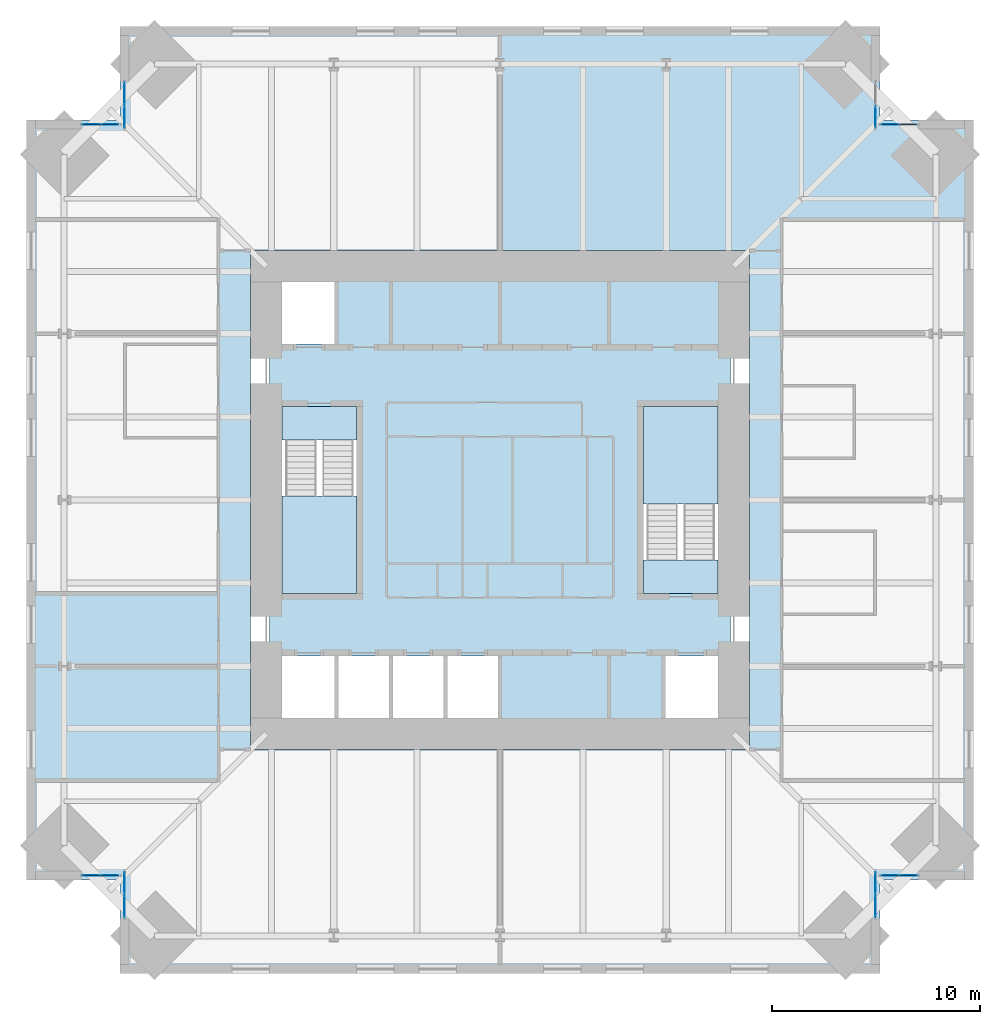
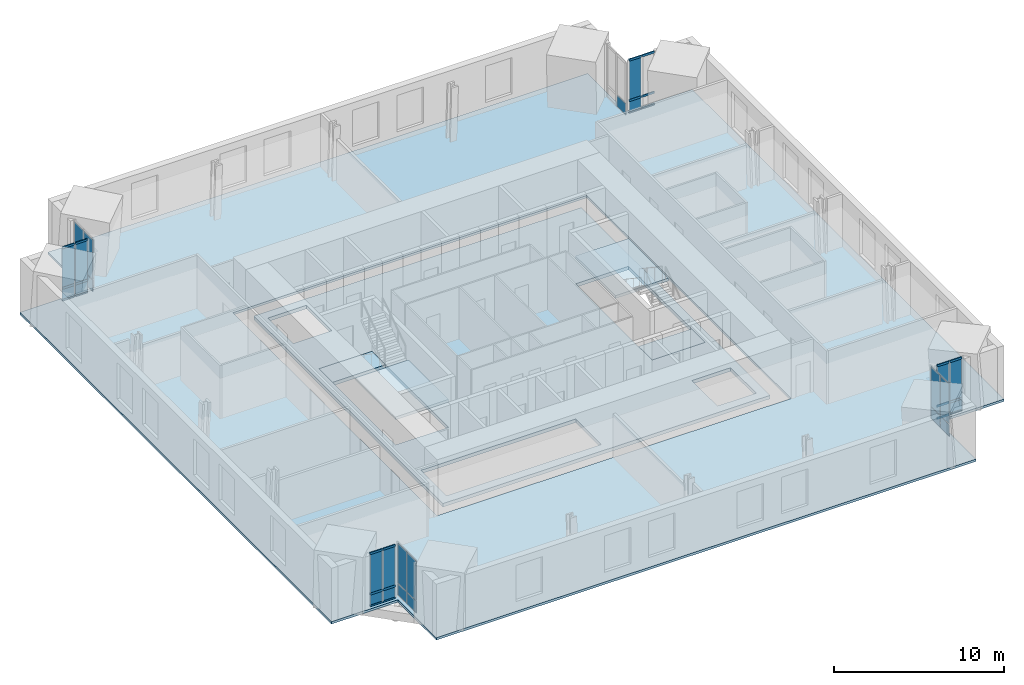
# One storey, part 9 of 15: 27 plates, 24 members, 6 slabs, 10 elements without a shape of their own.
"""IFC4 building model written with IfcOpenShell, lengths in metres."""

from ifc_helpers import new_model, si_unit, direction, frame, origin, origin_2d, place, context, subcontext, project, spatial, polyline, rectangle, hollow_rectangle, outline, extrude, material, layer, layer_set, material_profile, profile_set, type_object, element, aggregate, save


model = new_model("IFC4")

# Units and contexts
model_context = context("Model", 3, precision=1e-05, world=origin(), true_north=direction((0.0, 1.0)))
body_context = subcontext(model_context, "Body", "Model", "MODEL_VIEW")
ifc_project = project(units=[si_unit("LENGTHUNIT", "METRE"), si_unit("AREAUNIT", "SQUARE_METRE"), si_unit("VOLUMEUNIT", "CUBIC_METRE"), si_unit("PLANEANGLEUNIT", "RADIAN"), si_unit("MASSUNIT", "GRAM", prefix="KILO")], contexts=[model_context])

# Site, building, storey
site_placement = place(None, origin())
site = spatial("IfcSite", under=ifc_project, at=site_placement, CompositionType="ELEMENT")
building_placement = place(site_placement, origin())
building = spatial("IfcBuilding", under=site, at=building_placement, Name="Peilmerk Tower", CompositionType="ELEMENT")
storey_placement = place(building_placement, frame((0.0, 0.0, 245.800048828125)))
storey = spatial("IfcBuildingStorey", under=building, at=storey_placement, Name="L54", CompositionType="ELEMENT", Elevation=245.800048828125)

# Curtain wall, members
ifc_material_1 = material(Name="Aluminium stick curtain wall", Category="aluminium")
curtain_wall_type = type_object("IfcCurtainWallType", Name="CW4 stick curtain wall, 2250 module", PredefinedType="NOTDEFINED", material=ifc_material_1)
curtain_wall_1_placement = place(storey_placement, origin())
curtain_wall_1 = element("IfcCurtainWall", 1, at=curtain_wall_1_placement, inside=storey, type_object=curtain_wall_type, Name="Curtain wall CW4 NEB L54", PredefinedType="NOTDEFINED")
ifc_material_2 = material(Name="Aluminium EN AW-6063 T6", Category="aluminium")
ifc_material_profile = material_profile(ifc_material_2, hollow_rectangle(XDim=0.06494140625, YDim=0.14990234375, WallThickness=0.0029296875, at=origin_2d()), Name="AL 150x65x3")
ifc_profile_set = profile_set([ifc_material_profile], Name="Aluminium EN AW-6063 T6")
member_type = type_object("IfcMemberType", Name="CW4-T AL 150x65x3 transom", PredefinedType="USERDEFINED", material=ifc_profile_set)
member_1_placement = place(storey_placement, frame((18.364990234375, 18.074951171875, 0.032470703125), z_axis=(1.0, 0.0, 0.0), x_axis=(0.0, 1.0, 0.0)))
member_1 = element("IfcMember", 2, at=member_1_placement, type_object=member_type, Name="CW4 transom 1.1", ObjectType="TRANSOM", PredefinedType="USERDEFINED", context=body_context, shape_type="SweptSolid", body=[
    extrude(hollow_rectangle(XDim=0.06494140625, YDim=0.14990234375, WallThickness=0.0029296875, at=origin_2d()), origin(), (0.0, 0.0, 1.0), 0.82177734375),
])
member_2_placement = place(storey_placement, frame((18.364990234375, 18.074951171875, 0.89990234375), z_axis=(1.0, 0.0, 0.0), x_axis=(0.0, 1.0, 0.0)))
member_2 = element("IfcMember", 3, at=member_2_placement, type_object=member_type, Name="CW4 transom 1.2", ObjectType="TRANSOM", PredefinedType="USERDEFINED", context=body_context, shape_type="SweptSolid", body=[
    extrude(hollow_rectangle(XDim=0.06494140625, YDim=0.14990234375, WallThickness=0.0029296875, at=origin_2d()), origin(), (0.0, 0.0, 1.0), 0.82177734375),
])
member_3_placement = place(storey_placement, frame((18.364990234375, 18.074951171875, 3.79736328125), z_axis=(1.0, 0.0, 0.0), x_axis=(0.0, 1.0, 0.0)))
member_3 = element("IfcMember", 4, at=member_3_placement, type_object=member_type, Name="CW4 transom 1.3", ObjectType="TRANSOM", PredefinedType="USERDEFINED", context=body_context, shape_type="SweptSolid", body=[
    extrude(hollow_rectangle(XDim=0.06494140625, YDim=0.14990234375, WallThickness=0.0029296875, at=origin_2d()), origin(), (0.0, 0.0, 1.0), 0.82177734375),
])
member_4_placement = place(storey_placement, frame((19.251953125, 18.074951171875, 0.032470703125), z_axis=(1.0, 0.0, 0.0), x_axis=(0.0, 1.0, 0.0)))
member_4 = element("IfcMember", 5, at=member_4_placement, type_object=member_type, Name="CW4 transom 2.1", ObjectType="TRANSOM", PredefinedType="USERDEFINED", context=body_context, shape_type="SweptSolid", body=[
    extrude(hollow_rectangle(XDim=0.06494140625, YDim=0.14990234375, WallThickness=0.0029296875, at=origin_2d()), origin(), (0.0, 0.0, 1.0), 0.82177734375),
])
member_5_placement = place(storey_placement, frame((19.251953125, 18.074951171875, 0.89990234375), z_axis=(1.0, 0.0, 0.0), x_axis=(0.0, 1.0, 0.0)))
member_5 = element("IfcMember", 6, at=member_5_placement, type_object=member_type, Name="CW4 transom 2.2", ObjectType="TRANSOM", PredefinedType="USERDEFINED", context=body_context, shape_type="SweptSolid", body=[
    extrude(hollow_rectangle(XDim=0.06494140625, YDim=0.14990234375, WallThickness=0.0029296875, at=origin_2d()), origin(), (0.0, 0.0, 1.0), 0.82177734375),
])
member_6_placement = place(storey_placement, frame((19.251953125, 18.074951171875, 3.79736328125), z_axis=(1.0, 0.0, 0.0), x_axis=(0.0, 1.0, 0.0)))
member_6 = element("IfcMember", 7, at=member_6_placement, type_object=member_type, Name="CW4 transom 2.3", ObjectType="TRANSOM", PredefinedType="USERDEFINED", context=body_context, shape_type="SweptSolid", body=[
    extrude(hollow_rectangle(XDim=0.06494140625, YDim=0.14990234375, WallThickness=0.0029296875, at=origin_2d()), origin(), (0.0, 0.0, 1.0), 0.82177734375),
])

curtain_wall_2_placement = place(storey_placement, origin())
curtain_wall_2 = element("IfcCurtainWall", 8, at=curtain_wall_2_placement, inside=storey, type_object=curtain_wall_type, Name="Curtain wall CW4 SEB L54", PredefinedType="NOTDEFINED")
member_7_placement = place(storey_placement, frame((18.364990234375, -18.074951171875, 0.032470703125), z_axis=(1.0, 0.0, 0.0), x_axis=(0.0, 1.0, 0.0)))
member_7 = element("IfcMember", 9, at=member_7_placement, type_object=member_type, Name="CW4 transom 1.1", ObjectType="TRANSOM", PredefinedType="USERDEFINED", context=body_context, shape_type="SweptSolid", body=[
    extrude(hollow_rectangle(XDim=0.06494140625, YDim=0.14990234375, WallThickness=0.0029296875, at=origin_2d()), origin(), (0.0, 0.0, 1.0), 0.82177734375),
])
member_8_placement = place(storey_placement, frame((18.364990234375, -18.074951171875, 0.89990234375), z_axis=(1.0, 0.0, 0.0), x_axis=(0.0, 1.0, 0.0)))
member_8 = element("IfcMember", 10, at=member_8_placement, type_object=member_type, Name="CW4 transom 1.2", ObjectType="TRANSOM", PredefinedType="USERDEFINED", context=body_context, shape_type="SweptSolid", body=[
    extrude(hollow_rectangle(XDim=0.06494140625, YDim=0.14990234375, WallThickness=0.0029296875, at=origin_2d()), origin(), (0.0, 0.0, 1.0), 0.82177734375),
])
member_9_placement = place(storey_placement, frame((18.364990234375, -18.074951171875, 3.79736328125), z_axis=(1.0, 0.0, 0.0), x_axis=(0.0, 1.0, 0.0)))
member_9 = element("IfcMember", 11, at=member_9_placement, type_object=member_type, Name="CW4 transom 1.3", ObjectType="TRANSOM", PredefinedType="USERDEFINED", context=body_context, shape_type="SweptSolid", body=[
    extrude(hollow_rectangle(XDim=0.06494140625, YDim=0.14990234375, WallThickness=0.0029296875, at=origin_2d()), origin(), (0.0, 0.0, 1.0), 0.82177734375),
])
member_10_placement = place(storey_placement, frame((19.251953125, -18.074951171875, 0.032470703125), z_axis=(1.0, 0.0, 0.0), x_axis=(0.0, 1.0, 0.0)))
member_10 = element("IfcMember", 12, at=member_10_placement, type_object=member_type, Name="CW4 transom 2.1", ObjectType="TRANSOM", PredefinedType="USERDEFINED", context=body_context, shape_type="SweptSolid", body=[
    extrude(hollow_rectangle(XDim=0.06494140625, YDim=0.14990234375, WallThickness=0.0029296875, at=origin_2d()), origin(), (0.0, 0.0, 1.0), 0.82177734375),
])
member_11_placement = place(storey_placement, frame((19.251953125, -18.074951171875, 0.89990234375), z_axis=(1.0, 0.0, 0.0), x_axis=(0.0, 1.0, 0.0)))
member_11 = element("IfcMember", 13, at=member_11_placement, type_object=member_type, Name="CW4 transom 2.2", ObjectType="TRANSOM", PredefinedType="USERDEFINED", context=body_context, shape_type="SweptSolid", body=[
    extrude(hollow_rectangle(XDim=0.06494140625, YDim=0.14990234375, WallThickness=0.0029296875, at=origin_2d()), origin(), (0.0, 0.0, 1.0), 0.82177734375),
])
member_12_placement = place(storey_placement, frame((19.251953125, -18.074951171875, 3.79736328125), z_axis=(1.0, 0.0, 0.0), x_axis=(0.0, 1.0, 0.0)))
member_12 = element("IfcMember", 14, at=member_12_placement, type_object=member_type, Name="CW4 transom 2.3", ObjectType="TRANSOM", PredefinedType="USERDEFINED", context=body_context, shape_type="SweptSolid", body=[
    extrude(hollow_rectangle(XDim=0.06494140625, YDim=0.14990234375, WallThickness=0.0029296875, at=origin_2d()), origin(), (0.0, 0.0, 1.0), 0.82177734375),
])

curtain_wall_3_placement = place(storey_placement, origin())
curtain_wall_3 = element("IfcCurtainWall", 15, at=curtain_wall_3_placement, inside=storey, type_object=curtain_wall_type, Name="Curtain wall CW4 SWB L54", PredefinedType="NOTDEFINED")
member_13_placement = place(storey_placement, frame((-18.364990234375, -18.074951171875, 0.032470703125), z_axis=(-1.0, 0.0, 0.0), x_axis=(0.0, -1.0, 0.0)))
member_13 = element("IfcMember", 16, at=member_13_placement, type_object=member_type, Name="CW4 transom 1.1", ObjectType="TRANSOM", PredefinedType="USERDEFINED", context=body_context, shape_type="SweptSolid", body=[
    extrude(hollow_rectangle(XDim=0.06494140625, YDim=0.14990234375, WallThickness=0.0029296875, at=origin_2d()), origin(), (0.0, 0.0, 1.0), 0.82177734375),
])
member_14_placement = place(storey_placement, frame((-18.364990234375, -18.074951171875, 0.89990234375), z_axis=(-1.0, 0.0, 0.0), x_axis=(0.0, -1.0, 0.0)))
member_14 = element("IfcMember", 17, at=member_14_placement, type_object=member_type, Name="CW4 transom 1.2", ObjectType="TRANSOM", PredefinedType="USERDEFINED", context=body_context, shape_type="SweptSolid", body=[
    extrude(hollow_rectangle(XDim=0.06494140625, YDim=0.14990234375, WallThickness=0.0029296875, at=origin_2d()), origin(), (0.0, 0.0, 1.0), 0.82177734375),
])
member_15_placement = place(storey_placement, frame((-18.364990234375, -18.074951171875, 3.79736328125), z_axis=(-1.0, 0.0, 0.0), x_axis=(0.0, -1.0, 0.0)))
member_15 = element("IfcMember", 18, at=member_15_placement, type_object=member_type, Name="CW4 transom 1.3", ObjectType="TRANSOM", PredefinedType="USERDEFINED", context=body_context, shape_type="SweptSolid", body=[
    extrude(hollow_rectangle(XDim=0.06494140625, YDim=0.14990234375, WallThickness=0.0029296875, at=origin_2d()), origin(), (0.0, 0.0, 1.0), 0.82177734375),
])
member_16_placement = place(storey_placement, frame((-19.251953125, -18.074951171875, 0.032470703125), z_axis=(-1.0, 0.0, 0.0), x_axis=(0.0, -1.0, 0.0)))
member_16 = element("IfcMember", 19, at=member_16_placement, type_object=member_type, Name="CW4 transom 2.1", ObjectType="TRANSOM", PredefinedType="USERDEFINED", context=body_context, shape_type="SweptSolid", body=[
    extrude(hollow_rectangle(XDim=0.06494140625, YDim=0.14990234375, WallThickness=0.0029296875, at=origin_2d()), origin(), (0.0, 0.0, 1.0), 0.82177734375),
])
member_17_placement = place(storey_placement, frame((-19.251953125, -18.074951171875, 0.89990234375), z_axis=(-1.0, 0.0, 0.0), x_axis=(0.0, -1.0, 0.0)))
member_17 = element("IfcMember", 20, at=member_17_placement, type_object=member_type, Name="CW4 transom 2.2", ObjectType="TRANSOM", PredefinedType="USERDEFINED", context=body_context, shape_type="SweptSolid", body=[
    extrude(hollow_rectangle(XDim=0.06494140625, YDim=0.14990234375, WallThickness=0.0029296875, at=origin_2d()), origin(), (0.0, 0.0, 1.0), 0.82177734375),
])
member_18_placement = place(storey_placement, frame((-19.251953125, -18.074951171875, 3.79736328125), z_axis=(-1.0, 0.0, 0.0), x_axis=(0.0, -1.0, 0.0)))
member_18 = element("IfcMember", 21, at=member_18_placement, type_object=member_type, Name="CW4 transom 2.3", ObjectType="TRANSOM", PredefinedType="USERDEFINED", context=body_context, shape_type="SweptSolid", body=[
    extrude(hollow_rectangle(XDim=0.06494140625, YDim=0.14990234375, WallThickness=0.0029296875, at=origin_2d()), origin(), (0.0, 0.0, 1.0), 0.82177734375),
])

curtain_wall_4_placement = place(storey_placement, origin())
curtain_wall_4 = element("IfcCurtainWall", 22, at=curtain_wall_4_placement, inside=storey, type_object=curtain_wall_type, Name="Curtain wall CW4 NWB L54", PredefinedType="NOTDEFINED")
member_19_placement = place(storey_placement, frame((-18.364990234375, 18.074951171875, 0.032470703125), z_axis=(-1.0, 0.0, 0.0), x_axis=(0.0, -1.0, 0.0)))
member_19 = element("IfcMember", 23, at=member_19_placement, type_object=member_type, Name="CW4 transom 1.1", ObjectType="TRANSOM", PredefinedType="USERDEFINED", context=body_context, shape_type="SweptSolid", body=[
    extrude(hollow_rectangle(XDim=0.06494140625, YDim=0.14990234375, WallThickness=0.0029296875, at=origin_2d()), origin(), (0.0, 0.0, 1.0), 0.82177734375),
])
member_20_placement = place(storey_placement, frame((-18.364990234375, 18.074951171875, 0.89990234375), z_axis=(-1.0, 0.0, 0.0), x_axis=(0.0, -1.0, 0.0)))
member_20 = element("IfcMember", 24, at=member_20_placement, type_object=member_type, Name="CW4 transom 1.2", ObjectType="TRANSOM", PredefinedType="USERDEFINED", context=body_context, shape_type="SweptSolid", body=[
    extrude(hollow_rectangle(XDim=0.06494140625, YDim=0.14990234375, WallThickness=0.0029296875, at=origin_2d()), origin(), (0.0, 0.0, 1.0), 0.82177734375),
])
member_21_placement = place(storey_placement, frame((-18.364990234375, 18.074951171875, 3.79736328125), z_axis=(-1.0, 0.0, 0.0), x_axis=(0.0, -1.0, 0.0)))
member_21 = element("IfcMember", 25, at=member_21_placement, type_object=member_type, Name="CW4 transom 1.3", ObjectType="TRANSOM", PredefinedType="USERDEFINED", context=body_context, shape_type="SweptSolid", body=[
    extrude(hollow_rectangle(XDim=0.06494140625, YDim=0.14990234375, WallThickness=0.0029296875, at=origin_2d()), origin(), (0.0, 0.0, 1.0), 0.82177734375),
])
member_22_placement = place(storey_placement, frame((-19.251953125, 18.074951171875, 0.032470703125), z_axis=(-1.0, 0.0, 0.0), x_axis=(0.0, -1.0, 0.0)))
member_22 = element("IfcMember", 26, at=member_22_placement, type_object=member_type, Name="CW4 transom 2.1", ObjectType="TRANSOM", PredefinedType="USERDEFINED", context=body_context, shape_type="SweptSolid", body=[
    extrude(hollow_rectangle(XDim=0.06494140625, YDim=0.14990234375, WallThickness=0.0029296875, at=origin_2d()), origin(), (0.0, 0.0, 1.0), 0.82177734375),
])
member_23_placement = place(storey_placement, frame((-19.251953125, 18.074951171875, 0.89990234375), z_axis=(-1.0, 0.0, 0.0), x_axis=(0.0, -1.0, 0.0)))
member_23 = element("IfcMember", 27, at=member_23_placement, type_object=member_type, Name="CW4 transom 2.2", ObjectType="TRANSOM", PredefinedType="USERDEFINED", context=body_context, shape_type="SweptSolid", body=[
    extrude(hollow_rectangle(XDim=0.06494140625, YDim=0.14990234375, WallThickness=0.0029296875, at=origin_2d()), origin(), (0.0, 0.0, 1.0), 0.82177734375),
])
member_24_placement = place(storey_placement, frame((-19.251953125, 18.074951171875, 3.79736328125), z_axis=(-1.0, 0.0, 0.0), x_axis=(0.0, -1.0, 0.0)))
member_24 = element("IfcMember", 28, at=member_24_placement, type_object=member_type, Name="CW4 transom 2.3", ObjectType="TRANSOM", PredefinedType="USERDEFINED", context=body_context, shape_type="SweptSolid", body=[
    extrude(hollow_rectangle(XDim=0.06494140625, YDim=0.14990234375, WallThickness=0.0029296875, at=origin_2d()), origin(), (0.0, 0.0, 1.0), 0.82177734375),
])

# Slab
ifc_material_3 = material(Name="Concrete C55/67", Category="concrete")
ifc_layer_1 = layer(ifc_material_3, 0.25)
ifc_layer_set_1 = layer_set([ifc_layer_1], Name="Concrete C55/67")
slab_type_1 = type_object("IfcSlabType", Name="CS250 250 core floor slab", PredefinedType="FLOOR", material=ifc_layer_set_1)
slab_1_placement = place(storey_placement, frame((0.0, 0.0, -0.25)))
element("IfcSlab", 29, at=slab_1_placement, inside=storey, type_object=slab_type_1, Name="Core slab L54", PredefinedType="FLOOR", context=body_context, shape_type="SweptSolid", body=[
    extrude(outline(polyline([(11.10009765625, -11.10009765625), (11.10009765625, 11.10009765625), (-11.10009765625, 11.10009765625), (-11.10009765625, -11.10009765625), (11.10009765625, -11.10009765625)]), holes=[polyline([(-7.875, 7.5), (-10.5, 7.5), (-10.5, 10.5), (-7.875, 10.5), (-7.875, 7.5)]), polyline([(0.0, -10.5), (-10.5, -10.5), (-10.5, -7.5), (0.0, -7.5), (0.0, -10.5)]), polyline([(7.875, -10.5), (7.875, -7.5), (10.5, -7.5), (10.5, -10.5), (7.875, -10.5)]), polyline([(-10.5, 4.5), (-6.89990234375, 4.5), (-6.89990234375, -4.5), (-10.5, -4.5), (-10.5, 4.5)]), polyline([(10.5, 4.5), (10.5, -4.5), (6.89990234375, -4.5), (6.89990234375, 4.5), (10.5, 4.5)])]), origin(), (0.0, 0.0, 1.0), 0.25),
])

# Curtain wall, plate
curtain_wall_5_placement = place(storey_placement, origin())
curtain_wall_5 = element("IfcCurtainWall", 30, at=curtain_wall_5_placement, inside=storey, type_object=curtain_wall_type, Name="Curtain wall CW4 NEA L54", PredefinedType="NOTDEFINED")
ifc_material_4 = material(Name="Clear insulated glazing unit", Category="glass")
ifc_layer_2 = layer(ifc_material_4, 0.028076171875)
ifc_layer_set_2 = layer_set([ifc_layer_2], Name="Clear insulated glazing unit")
plate_type = type_object("IfcPlateType", Name="CW4-P 28 glazed panel", PredefinedType="CURTAIN_PANEL", material=ifc_layer_set_2)
plate_1_placement = place(storey_placement, frame((18.074951171875, 18.4384765625, 0.06494140625), z_axis=(0.0, 0.0, 1.0), x_axis=(0.0, 1.0, 0.0)))
plate_1 = element("IfcPlate", 31, at=plate_1_placement, type_object=plate_type, Name="CW4 panel 1.1", PredefinedType="CURTAIN_PANEL", context=body_context, shape_type="SweptSolid", body=[
    extrude(rectangle(XDim=1.046875, YDim=0.028076171875, at=origin_2d()), origin(), (0.0, 0.0, 1.0), 0.802490234375),
])
aggregate(curtain_wall_5, [plate_1])

# Plate
plate_2_placement = place(storey_placement, frame((18.77587890625, 18.074951171875, 0.06494140625), z_axis=(0.0, 0.0, 1.0), x_axis=(1.0, 0.0, 0.0)))
plate_2 = element("IfcPlate", 32, at=plate_2_placement, type_object=plate_type, Name="CW4 panel 1.1", PredefinedType="CURTAIN_PANEL", context=body_context, shape_type="SweptSolid", body=[
    extrude(rectangle(XDim=0.82177734375, YDim=0.028076171875, at=origin_2d()), origin(), (0.0, 0.0, 1.0), 0.802490234375),
])

plate_3_placement = place(storey_placement, frame((18.77587890625, 18.074951171875, 0.932373046875), z_axis=(0.0, 0.0, 1.0), x_axis=(1.0, 0.0, 0.0)))
plate_3 = element("IfcPlate", 33, at=plate_3_placement, type_object=plate_type, Name="CW4 panel 1.2", PredefinedType="CURTAIN_PANEL", context=body_context, shape_type="SweptSolid", body=[
    extrude(rectangle(XDim=0.82177734375, YDim=0.028076171875, at=origin_2d()), origin(), (0.0, 0.0, 1.0), 2.83251953125),
])

aggregate(curtain_wall_1, [member_1, member_2, member_3, plate_2, plate_3, member_4, member_5, member_6])

# Curtain wall, plates
curtain_wall_6_placement = place(storey_placement, origin())
curtain_wall_6 = element("IfcCurtainWall", 34, at=curtain_wall_6_placement, inside=storey, type_object=curtain_wall_type, Name="Curtain wall CW4 SEA L54", PredefinedType="NOTDEFINED")
plate_4_placement = place(storey_placement, frame((18.074951171875, -18.4384765625, 0.06494140625), z_axis=(0.0, 0.0, 1.0), x_axis=(0.0, -1.0, 0.0)))
plate_4 = element("IfcPlate", 35, at=plate_4_placement, type_object=plate_type, Name="CW4 panel 1.1", PredefinedType="CURTAIN_PANEL", context=body_context, shape_type="SweptSolid", body=[
    extrude(rectangle(XDim=1.046875, YDim=0.028076171875, at=origin_2d()), origin(), (0.0, 0.0, 1.0), 0.802490234375),
])
plate_5_placement = place(storey_placement, frame((18.074951171875, -18.4384765625, 0.932373046875), z_axis=(0.0, 0.0, 1.0), x_axis=(0.0, -1.0, 0.0)))
plate_5 = element("IfcPlate", 36, at=plate_5_placement, type_object=plate_type, Name="CW4 panel 1.2", PredefinedType="CURTAIN_PANEL", context=body_context, shape_type="SweptSolid", body=[
    extrude(rectangle(XDim=1.046875, YDim=0.028076171875, at=origin_2d()), origin(), (0.0, 0.0, 1.0), 2.83251953125),
])
plate_6_placement = place(storey_placement, frame((18.074951171875, -19.55029296875, 0.06494140625), z_axis=(0.0, 0.0, 1.0), x_axis=(0.0, -1.0, 0.0)))
plate_6 = element("IfcPlate", 37, at=plate_6_placement, type_object=plate_type, Name="CW4 panel 2.1", PredefinedType="CURTAIN_PANEL", context=body_context, shape_type="SweptSolid", body=[
    extrude(rectangle(XDim=1.046875, YDim=0.028076171875, at=origin_2d()), origin(), (0.0, 0.0, 1.0), 0.802490234375),
])
plate_7_placement = place(storey_placement, frame((18.074951171875, -19.55029296875, 0.932373046875), z_axis=(0.0, 0.0, 1.0), x_axis=(0.0, -1.0, 0.0)))
plate_7 = element("IfcPlate", 38, at=plate_7_placement, type_object=plate_type, Name="CW4 panel 2.2", PredefinedType="CURTAIN_PANEL", context=body_context, shape_type="SweptSolid", body=[
    extrude(rectangle(XDim=1.046875, YDim=0.028076171875, at=origin_2d()), origin(), (0.0, 0.0, 1.0), 2.83251953125),
])
aggregate(curtain_wall_6, [plate_4, plate_5, plate_6, plate_7])

# Plate
plate_8_placement = place(storey_placement, frame((18.77587890625, -18.074951171875, 0.06494140625), z_axis=(0.0, 0.0, 1.0), x_axis=(1.0, 0.0, 0.0)))
plate_8 = element("IfcPlate", 39, at=plate_8_placement, type_object=plate_type, Name="CW4 panel 1.1", PredefinedType="CURTAIN_PANEL", context=body_context, shape_type="SweptSolid", body=[
    extrude(rectangle(XDim=0.82177734375, YDim=0.028076171875, at=origin_2d()), origin(), (0.0, 0.0, 1.0), 0.802490234375),
])

plate_9_placement = place(storey_placement, frame((18.77587890625, -18.074951171875, 0.932373046875), z_axis=(0.0, 0.0, 1.0), x_axis=(1.0, 0.0, 0.0)))
plate_9 = element("IfcPlate", 40, at=plate_9_placement, type_object=plate_type, Name="CW4 panel 1.2", PredefinedType="CURTAIN_PANEL", context=body_context, shape_type="SweptSolid", body=[
    extrude(rectangle(XDim=0.82177734375, YDim=0.028076171875, at=origin_2d()), origin(), (0.0, 0.0, 1.0), 2.83251953125),
])

plate_10_placement = place(storey_placement, frame((19.662841796875, -18.074951171875, 0.06494140625), z_axis=(0.0, 0.0, 1.0), x_axis=(1.0, 0.0, 0.0)))
plate_10 = element("IfcPlate", 41, at=plate_10_placement, type_object=plate_type, Name="CW4 panel 2.1", PredefinedType="CURTAIN_PANEL", context=body_context, shape_type="SweptSolid", body=[
    extrude(rectangle(XDim=0.82177734375, YDim=0.028076171875, at=origin_2d()), origin(), (0.0, 0.0, 1.0), 0.802490234375),
])

plate_11_placement = place(storey_placement, frame((19.662841796875, -18.074951171875, 0.932373046875), z_axis=(0.0, 0.0, 1.0), x_axis=(1.0, 0.0, 0.0)))
plate_11 = element("IfcPlate", 42, at=plate_11_placement, type_object=plate_type, Name="CW4 panel 2.2", PredefinedType="CURTAIN_PANEL", context=body_context, shape_type="SweptSolid", body=[
    extrude(rectangle(XDim=0.82177734375, YDim=0.028076171875, at=origin_2d()), origin(), (0.0, 0.0, 1.0), 2.83251953125),
])

aggregate(curtain_wall_2, [member_7, member_8, member_9, plate_8, plate_9, member_10, member_11, member_12, plate_10, plate_11])

# Curtain wall, plates
curtain_wall_7_placement = place(storey_placement, origin())
curtain_wall_7 = element("IfcCurtainWall", 43, at=curtain_wall_7_placement, inside=storey, type_object=curtain_wall_type, Name="Curtain wall CW4 SWA L54", PredefinedType="NOTDEFINED")
plate_12_placement = place(storey_placement, frame((-18.074951171875, -18.4384765625, 0.06494140625), z_axis=(0.0, 0.0, 1.0), x_axis=(0.0, -1.0, 0.0)))
plate_12 = element("IfcPlate", 44, at=plate_12_placement, type_object=plate_type, Name="CW4 panel 1.1", PredefinedType="CURTAIN_PANEL", context=body_context, shape_type="SweptSolid", body=[
    extrude(rectangle(XDim=1.046875, YDim=0.028076171875, at=origin_2d()), origin(), (0.0, 0.0, 1.0), 0.802490234375),
])
plate_13_placement = place(storey_placement, frame((-18.074951171875, -18.4384765625, 0.932373046875), z_axis=(0.0, 0.0, 1.0), x_axis=(0.0, -1.0, 0.0)))
plate_13 = element("IfcPlate", 45, at=plate_13_placement, type_object=plate_type, Name="CW4 panel 1.2", PredefinedType="CURTAIN_PANEL", context=body_context, shape_type="SweptSolid", body=[
    extrude(rectangle(XDim=1.046875, YDim=0.028076171875, at=origin_2d()), origin(), (0.0, 0.0, 1.0), 2.83251953125),
])
plate_14_placement = place(storey_placement, frame((-18.074951171875, -19.55029296875, 0.06494140625), z_axis=(0.0, 0.0, 1.0), x_axis=(0.0, -1.0, 0.0)))
plate_14 = element("IfcPlate", 46, at=plate_14_placement, type_object=plate_type, Name="CW4 panel 2.1", PredefinedType="CURTAIN_PANEL", context=body_context, shape_type="SweptSolid", body=[
    extrude(rectangle(XDim=1.046875, YDim=0.028076171875, at=origin_2d()), origin(), (0.0, 0.0, 1.0), 0.802490234375),
])
plate_15_placement = place(storey_placement, frame((-18.074951171875, -19.55029296875, 0.932373046875), z_axis=(0.0, 0.0, 1.0), x_axis=(0.0, -1.0, 0.0)))
plate_15 = element("IfcPlate", 47, at=plate_15_placement, type_object=plate_type, Name="CW4 panel 2.2", PredefinedType="CURTAIN_PANEL", context=body_context, shape_type="SweptSolid", body=[
    extrude(rectangle(XDim=1.046875, YDim=0.028076171875, at=origin_2d()), origin(), (0.0, 0.0, 1.0), 2.83251953125),
])
aggregate(curtain_wall_7, [plate_12, plate_13, plate_14, plate_15])

# Plate
plate_16_placement = place(storey_placement, frame((-18.77587890625, -18.074951171875, 0.06494140625), z_axis=(0.0, 0.0, 1.0), x_axis=(-1.0, 0.0, 0.0)))
plate_16 = element("IfcPlate", 48, at=plate_16_placement, type_object=plate_type, Name="CW4 panel 1.1", PredefinedType="CURTAIN_PANEL", context=body_context, shape_type="SweptSolid", body=[
    extrude(rectangle(XDim=0.82177734375, YDim=0.028076171875, at=origin_2d()), origin(), (0.0, 0.0, 1.0), 0.802490234375),
])

plate_17_placement = place(storey_placement, frame((-18.77587890625, -18.074951171875, 0.932373046875), z_axis=(0.0, 0.0, 1.0), x_axis=(-1.0, 0.0, 0.0)))
plate_17 = element("IfcPlate", 49, at=plate_17_placement, type_object=plate_type, Name="CW4 panel 1.2", PredefinedType="CURTAIN_PANEL", context=body_context, shape_type="SweptSolid", body=[
    extrude(rectangle(XDim=0.82177734375, YDim=0.028076171875, at=origin_2d()), origin(), (0.0, 0.0, 1.0), 2.83251953125),
])

plate_18_placement = place(storey_placement, frame((-19.662841796875, -18.074951171875, 0.06494140625), z_axis=(0.0, 0.0, 1.0), x_axis=(-1.0, 0.0, 0.0)))
plate_18 = element("IfcPlate", 50, at=plate_18_placement, type_object=plate_type, Name="CW4 panel 2.1", PredefinedType="CURTAIN_PANEL", context=body_context, shape_type="SweptSolid", body=[
    extrude(rectangle(XDim=0.82177734375, YDim=0.028076171875, at=origin_2d()), origin(), (0.0, 0.0, 1.0), 0.802490234375),
])

plate_19_placement = place(storey_placement, frame((-19.662841796875, -18.074951171875, 0.932373046875), z_axis=(0.0, 0.0, 1.0), x_axis=(-1.0, 0.0, 0.0)))
plate_19 = element("IfcPlate", 51, at=plate_19_placement, type_object=plate_type, Name="CW4 panel 2.2", PredefinedType="CURTAIN_PANEL", context=body_context, shape_type="SweptSolid", body=[
    extrude(rectangle(XDim=0.82177734375, YDim=0.028076171875, at=origin_2d()), origin(), (0.0, 0.0, 1.0), 2.83251953125),
])

aggregate(curtain_wall_3, [member_13, member_14, member_15, plate_16, plate_17, member_16, member_17, member_18, plate_18, plate_19])

# Curtain wall, plates
curtain_wall_8_placement = place(storey_placement, origin())
curtain_wall_8 = element("IfcCurtainWall", 52, at=curtain_wall_8_placement, inside=storey, type_object=curtain_wall_type, Name="Curtain wall CW4 NWA L54", PredefinedType="NOTDEFINED")
plate_20_placement = place(storey_placement, frame((-18.074951171875, 18.4384765625, 0.06494140625), z_axis=(0.0, 0.0, 1.0), x_axis=(0.0, 1.0, 0.0)))
plate_20 = element("IfcPlate", 53, at=plate_20_placement, type_object=plate_type, Name="CW4 panel 1.1", PredefinedType="CURTAIN_PANEL", context=body_context, shape_type="SweptSolid", body=[
    extrude(rectangle(XDim=1.046875, YDim=0.028076171875, at=origin_2d()), origin(), (0.0, 0.0, 1.0), 0.802490234375),
])
plate_21_placement = place(storey_placement, frame((-18.074951171875, 18.4384765625, 0.932373046875), z_axis=(0.0, 0.0, 1.0), x_axis=(0.0, 1.0, 0.0)))
plate_21 = element("IfcPlate", 54, at=plate_21_placement, type_object=plate_type, Name="CW4 panel 1.2", PredefinedType="CURTAIN_PANEL", context=body_context, shape_type="SweptSolid", body=[
    extrude(rectangle(XDim=1.046875, YDim=0.028076171875, at=origin_2d()), origin(), (0.0, 0.0, 1.0), 2.83251953125),
])
plate_22_placement = place(storey_placement, frame((-18.074951171875, 19.55029296875, 0.06494140625), z_axis=(0.0, 0.0, 1.0), x_axis=(0.0, 1.0, 0.0)))
plate_22 = element("IfcPlate", 55, at=plate_22_placement, type_object=plate_type, Name="CW4 panel 2.1", PredefinedType="CURTAIN_PANEL", context=body_context, shape_type="SweptSolid", body=[
    extrude(rectangle(XDim=1.046875, YDim=0.028076171875, at=origin_2d()), origin(), (0.0, 0.0, 1.0), 0.802490234375),
])
plate_23_placement = place(storey_placement, frame((-18.074951171875, 19.55029296875, 0.932373046875), z_axis=(0.0, 0.0, 1.0), x_axis=(0.0, 1.0, 0.0)))
plate_23 = element("IfcPlate", 56, at=plate_23_placement, type_object=plate_type, Name="CW4 panel 2.2", PredefinedType="CURTAIN_PANEL", context=body_context, shape_type="SweptSolid", body=[
    extrude(rectangle(XDim=1.046875, YDim=0.028076171875, at=origin_2d()), origin(), (0.0, 0.0, 1.0), 2.83251953125),
])
aggregate(curtain_wall_8, [plate_20, plate_21, plate_22, plate_23])

# Plate
plate_24_placement = place(storey_placement, frame((-18.77587890625, 18.074951171875, 0.06494140625), z_axis=(0.0, 0.0, 1.0), x_axis=(-1.0, 0.0, 0.0)))
plate_24 = element("IfcPlate", 57, at=plate_24_placement, type_object=plate_type, Name="CW4 panel 1.1", PredefinedType="CURTAIN_PANEL", context=body_context, shape_type="SweptSolid", body=[
    extrude(rectangle(XDim=0.82177734375, YDim=0.028076171875, at=origin_2d()), origin(), (0.0, 0.0, 1.0), 0.802490234375),
])

plate_25_placement = place(storey_placement, frame((-18.77587890625, 18.074951171875, 0.932373046875), z_axis=(0.0, 0.0, 1.0), x_axis=(-1.0, 0.0, 0.0)))
plate_25 = element("IfcPlate", 58, at=plate_25_placement, type_object=plate_type, Name="CW4 panel 1.2", PredefinedType="CURTAIN_PANEL", context=body_context, shape_type="SweptSolid", body=[
    extrude(rectangle(XDim=0.82177734375, YDim=0.028076171875, at=origin_2d()), origin(), (0.0, 0.0, 1.0), 2.83251953125),
])

plate_26_placement = place(storey_placement, frame((-19.662841796875, 18.074951171875, 0.06494140625), z_axis=(0.0, 0.0, 1.0), x_axis=(-1.0, 0.0, 0.0)))
plate_26 = element("IfcPlate", 59, at=plate_26_placement, type_object=plate_type, Name="CW4 panel 2.1", PredefinedType="CURTAIN_PANEL", context=body_context, shape_type="SweptSolid", body=[
    extrude(rectangle(XDim=0.82177734375, YDim=0.028076171875, at=origin_2d()), origin(), (0.0, 0.0, 1.0), 0.802490234375),
])

plate_27_placement = place(storey_placement, frame((-19.662841796875, 18.074951171875, 0.932373046875), z_axis=(0.0, 0.0, 1.0), x_axis=(-1.0, 0.0, 0.0)))
plate_27 = element("IfcPlate", 60, at=plate_27_placement, type_object=plate_type, Name="CW4 panel 2.2", PredefinedType="CURTAIN_PANEL", context=body_context, shape_type="SweptSolid", body=[
    extrude(rectangle(XDim=0.82177734375, YDim=0.028076171875, at=origin_2d()), origin(), (0.0, 0.0, 1.0), 2.83251953125),
])

aggregate(curtain_wall_4, [member_19, member_20, member_21, plate_24, plate_25, member_22, member_23, member_24, plate_26, plate_27])

# Slab
ifc_material_5 = material(Name="Concrete C35/45", Category="concrete")
ifc_layer_3 = layer(ifc_material_5, 0.169921875)
ifc_layer_set_3 = layer_set([ifc_layer_3], Name="Concrete C35/45")
slab_type_2 = type_object("IfcSlabType", Name="FS170 170 composite floor slab", PredefinedType="FLOOR", material=ifc_layer_set_3)
slab_2_placement = place(storey_placement, frame((0.0, 0.0, -0.170166015625)))
element("IfcSlab", 61, at=slab_2_placement, inside=storey, type_object=slab_type_2, Name="Floor slab L54", PredefinedType="FLOOR", context=body_context, shape_type="SweptSolid", body=[
    extrude(outline(polyline([(-18.300048828125, -22.800048828125), (18.300048828125, -22.800048828125), (18.300048828125, -18.300048828125), (22.800048828125, -18.300048828125), (22.800048828125, 18.300048828125), (18.300048828125, 18.300048828125), (18.300048828125, 22.800048828125), (-18.300048828125, 22.800048828125), (-18.300048828125, 18.300048828125), (-22.800048828125, 18.300048828125), (-22.800048828125, -18.300048828125), (-18.300048828125, -18.300048828125), (-18.300048828125, -22.800048828125)]), holes=[polyline([(12.0, 12.0), (12.0, -12.0), (-12.0, -12.0), (-12.0, 12.0), (12.0, 12.0)])]), origin(), (0.0, 0.0, 1.0), 0.170166015625),
])

# Stair, slab
ifc_material_6 = material(Name="Precast concrete C45/55", Category="concrete")
stair_type_1 = type_object("IfcStairType", Name="ST1 22 risers of 181.8", PredefinedType="HALF_TURN_STAIR", material=ifc_material_6)
stair_1_placement = place(storey_placement, origin())
stair_1 = element("IfcStair", 62, at=stair_1_placement, inside=storey, type_object=stair_type_1, Name="Stair 1 L54 to L55", PredefinedType="HALF_TURN_STAIR")
ifc_layer_4 = layer(ifc_material_5, 0.199951171875)
ifc_layer_set_4 = layer_set([ifc_layer_4], Name="Concrete C35/45")
slab_type_3 = type_object("IfcSlabType", Name="SL1 200 concrete stair landing", PredefinedType="LANDING", material=ifc_layer_set_4)
slab_3_placement = place(storey_placement, frame((0.0, 0.0, 1.800048828125)))
slab_3 = element("IfcSlab", 63, at=slab_3_placement, type_object=slab_type_3, Name="ST1 landing 1", PredefinedType="LANDING", context=body_context, shape_type="SweptSolid", body=[
    extrude(outline(polyline([(-10.5, -4.5), (-6.89990234375, -4.5), (-6.89990234375, 0.199951171875), (-10.5, 0.199951171875), (-10.5, -4.5)])), origin(), (0.0, 0.0, 1.0), 0.199951171875),
])

stair_type_2 = type_object("IfcStairType", Name="ST2 22 risers of 181.8", PredefinedType="HALF_TURN_STAIR", material=ifc_material_6)
stair_2_placement = place(storey_placement, origin())
stair_2 = element("IfcStair", 64, at=stair_2_placement, inside=storey, type_object=stair_type_2, Name="Stair 2 L54 to L55", PredefinedType="HALF_TURN_STAIR")
slab_4_placement = place(storey_placement, frame((0.0, 0.0, 1.800048828125)))
slab_4 = element("IfcSlab", 65, at=slab_4_placement, type_object=slab_type_3, Name="ST2 landing 1", PredefinedType="LANDING", context=body_context, shape_type="SweptSolid", body=[
    extrude(outline(polyline([(6.89990234375, -0.199951171875), (10.5, -0.199951171875), (10.5, 4.5), (6.89990234375, 4.5), (6.89990234375, -0.199951171875)])), origin(), (0.0, 0.0, 1.0), 0.199951171875),
])

# Slab
ifc_layer_5 = layer(ifc_material_5, 0.25)
ifc_layer_set_5 = layer_set([ifc_layer_5], Name="Concrete C35/45")
slab_type_4 = type_object("IfcSlabType", Name="SL2 250 concrete floor landing", PredefinedType="LANDING", material=ifc_layer_set_5)
slab_5_placement = place(storey_placement, frame((0.0, 0.0, -0.25)))
slab_5 = element("IfcSlab", 66, at=slab_5_placement, type_object=slab_type_4, Name="ST1 floor landing", PredefinedType="LANDING", context=body_context, shape_type="SweptSolid", body=[
    extrude(outline(polyline([(-10.5, 2.89990234375), (-6.89990234375, 2.89990234375), (-6.89990234375, 4.5), (-10.5, 4.5), (-10.5, 2.89990234375)])), origin(), (0.0, 0.0, 1.0), 0.25),
])

aggregate(stair_1, [slab_3, slab_5])

slab_6_placement = place(storey_placement, frame((0.0, 0.0, -0.25)))
slab_6 = element("IfcSlab", 67, at=slab_6_placement, type_object=slab_type_4, Name="ST2 floor landing", PredefinedType="LANDING", context=body_context, shape_type="SweptSolid", body=[
    extrude(outline(polyline([(6.89990234375, -4.5), (10.5, -4.5), (10.5, -2.89990234375), (6.89990234375, -2.89990234375), (6.89990234375, -4.5)])), origin(), (0.0, 0.0, 1.0), 0.25),
])

aggregate(stair_2, [slab_4, slab_6])

save(model, "model.ifc")
